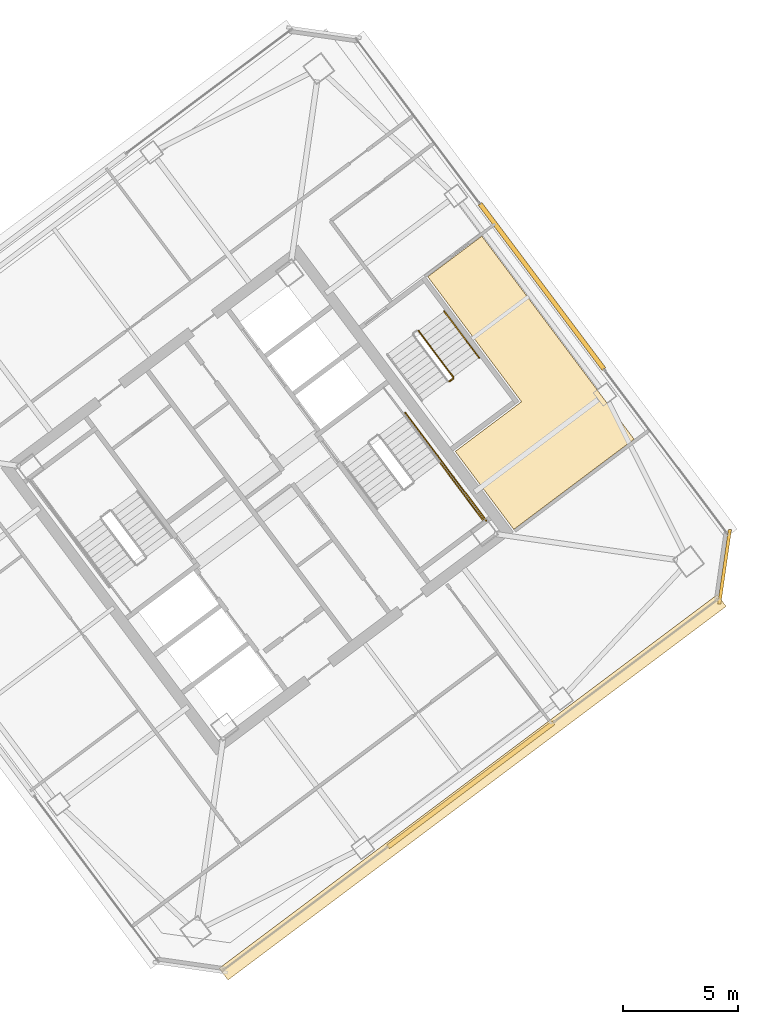
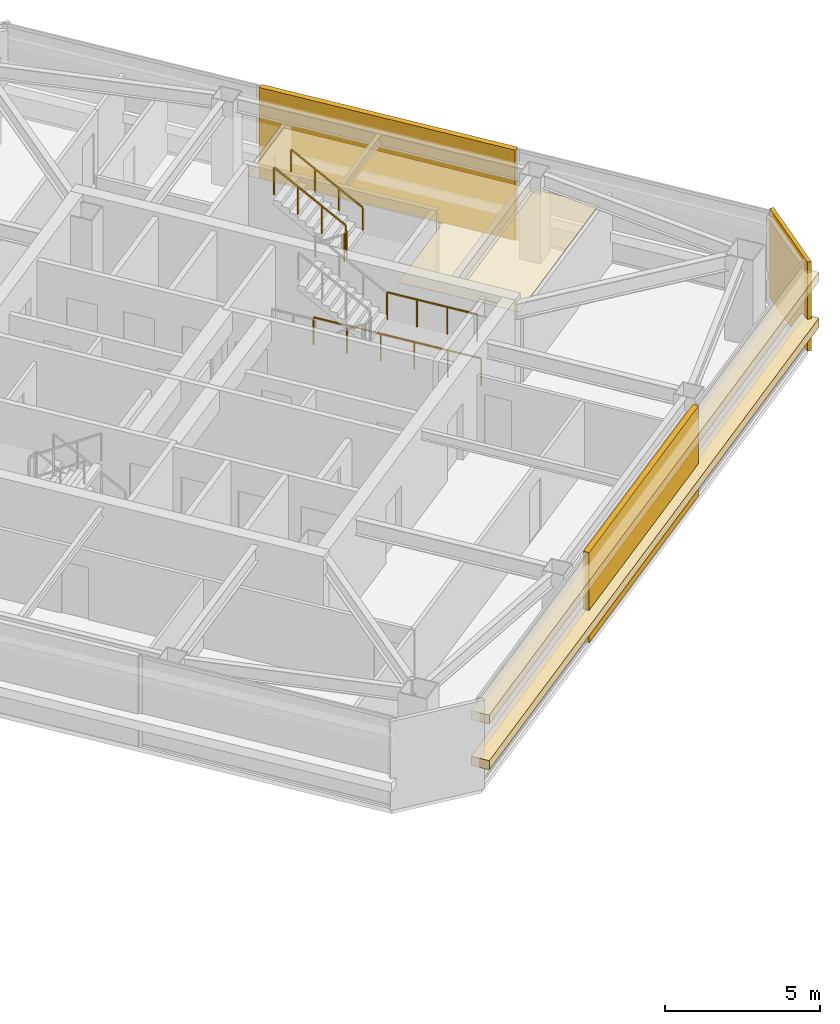
# One storey, part 38 of 39: 6 coverings, 5 railings.
"""IFC4 building model written with IfcOpenShell, lengths in metres."""

from ifc_helpers import new_model, si_unit, direction, frame, origin, origin_2d, place, context, subcontext, project, spatial, polyline, rectangle, outline, extrude, material, layer, layer_set, type_object, element, save


model = new_model("IFC4")

# Units and contexts
model_context = context("Model", 3, precision=1e-05, world=origin(), true_north=direction((0.0, 1.0)))
body_context = subcontext(model_context, "Body", "Model", "MODEL_VIEW")
ifc_project = project(units=[si_unit("LENGTHUNIT", "METRE"), si_unit("AREAUNIT", "SQUARE_METRE"), si_unit("VOLUMEUNIT", "CUBIC_METRE"), si_unit("PLANEANGLEUNIT", "RADIAN"), si_unit("MASSUNIT", "GRAM", prefix="KILO")], contexts=[model_context])

# Site, building, storey
site_placement = place(None, origin())
site = spatial("IfcSite", under=ifc_project, at=site_placement, CompositionType="ELEMENT")
building_placement = place(site_placement, origin())
building = spatial("IfcBuilding", under=site, at=building_placement, Name="Tashvorn Skyway Center", CompositionType="ELEMENT")
storey_placement = place(building_placement, frame((0.0, 0.0, 207.75)))
storey = spatial("IfcBuildingStorey", under=building, at=storey_placement, Name="L56", CompositionType="ELEMENT", Elevation=207.75)

# Coverings
ifc_material_1 = material(Name="Precast concrete C40/50", Category="concrete")
ifc_layer_1 = layer(ifc_material_1, 0.199951171875)
ifc_layer_set_1 = layer_set([ifc_layer_1], Name="Precast concrete C40/50")
covering_type_1 = type_object("IfcCoveringType", Name="COV-BRACE-CLAD", PredefinedType="CLADDING", material=ifc_layer_set_1)
for number, where, z_axis, x_axis, name in (
    (1, (123.2880859375, 19.615966796875, 0.0), (0.0, 0.0, 1.0), (-0.799999996291, -0.600000004945, 0.0), "Tower 2 L56 South Unitised Curtain Wall Mega-Brace Cladding Band 1"),
    (2, (126.384033203125, 41.2880859375, 0.0), (0.0, 0.0, 1.0), (0.600000004945, -0.799999996291, 0.0), "Tower 2 L56 East Unitised Curtain Wall Mega-Brace Cladding Band 1"),
):
    element("IfcCovering", number, at=place(storey_placement, frame(where, z_axis=z_axis, x_axis=x_axis)), inside=storey, type_object=covering_type_1, Name=name, PredefinedType="CLADDING", context=body_context, shape_type="SweptSolid", body=[
        extrude(rectangle(XDim=8.98681640625, YDim=0.199951171875, at=origin_2d()), origin(), (0.0, 0.0, 1.0), 3.550048828125),
    ])
ifc_material_2 = material(Name="Mineral-fibre acoustic ceiling tile on suspended grid")
ifc_layer_2 = layer(ifc_material_2, 0.02001953125)
ifc_layer_set_2 = layer_set([ifc_layer_2], Name="Mineral-fibre acoustic ceiling tile on suspended grid")
covering_type_2 = type_object("IfcCoveringType", Name="COV-CEIL-20", PredefinedType="CEILING", material=ifc_layer_set_2)
covering_1_placement = place(storey_placement, frame((0.0, 0.0, 2.702880859375)))
element("IfcCovering", 3, at=covering_1_placement, inside=storey, type_object=covering_type_2, Name="Tower 2 L56 Corporate Office Acoustic Ceiling", PredefinedType="CEILING", context=body_context, shape_type="SweptSolid", body=[
    extrude(outline(polyline([(125.159912109375, 30.719970703125), (122.615966796875, 34.112060546875), (125.49609375, 36.27197265625), (121.416015625, 41.7119140625), (123.76806640625, 43.47607421875), (127.847900390625, 38.035888671875), (130.39208984375, 34.64404296875), (125.159912109375, 30.719970703125)])), origin(), (0.0, 0.0, 1.0), 0.02001953125),
])
ifc_material_3 = material(Name="Perforated ceramic-coated bronze aluminium solar screen", Category="aluminium")
ifc_layer_3 = layer(ifc_material_3, 0.85009765625)
ifc_layer_set_3 = layer_set([ifc_layer_3], Name="Perforated ceramic-coated bronze aluminium solar screen")
covering_type_3 = type_object("IfcCoveringType", Name="COV-SOLAR-BAND", PredefinedType="CLADDING", material=ifc_layer_set_3)
for number, where, z_axis, x_axis, name in (
    (4, (123.3720703125, 19.50390625, 0.919921875), (0.0, 0.0, 1.0), (-0.799999996291, -0.600000004945, 0.0), "L56 Perforated Ceramic-Metal Solar Screen Louvre Band South 1"),
    (5, (123.3720703125, 19.50390625, 2.7197265625), (0.0, 0.0, 1.0), (-0.799999996291, -0.600000004945, 0.0), "L56 Perforated Ceramic-Metal Solar Screen Louvre Band South 2"),
):
    element("IfcCovering", number, at=place(storey_placement, frame(where, z_axis=z_axis, x_axis=x_axis)), inside=storey, type_object=covering_type_3, Name=name, PredefinedType="CLADDING", context=body_context, shape_type="SweptSolid", body=[
        extrude(rectangle(XDim=27.080078125, YDim=0.639892578125, at=origin_2d()), origin(), (0.0, 0.0, 1.0), 0.360107421875),
    ])
ifc_layer_4 = layer(ifc_material_1, 0.35009765625)
ifc_layer_set_4 = layer_set([ifc_layer_4], Name="Precast concrete C40/50")
covering_type_4 = type_object("IfcCoveringType", Name="COV-STONE-TRIM", PredefinedType="CLADDING", material=ifc_layer_set_4)
covering_2_placement = place(storey_placement, frame((134.327880859375, 29.095947265625, 0.02001953125), z_axis=(0.0, 0.0, 1.0), x_axis=(0.141421350118, 0.989949494535, 0.0)))
element("IfcCovering", 6, at=covering_2_placement, inside=storey, type_object=covering_type_4, Name="Tower 2 L56 SE Mojave Limestone Corner Quoin", PredefinedType="CLADDING", context=body_context, shape_type="SweptSolid", body=[
    extrude(rectangle(XDim=3.271240234375, YDim=0.139892578125, at=origin_2d()), origin(), (0.0, 0.0, 1.0), 3.510009765625),
])

# Railings
ifc_material_4 = material(Name="Brushed stainless steel 316", Category="steel")
railing_type_1 = type_object("IfcRailingType", Name="RAIL-HAND-920", PredefinedType="HANDRAIL", material=ifc_material_4)
railing_1_placement = place(storey_placement, frame((123.64794921875, 38.18603515625, 1.952392578125)))
element("IfcRailing", 7, at=railing_1_placement, inside=storey, type_object=railing_type_1, Name="L56 ST-T2-3 stair handrail 2", PredefinedType="HANDRAIL", context=body_context, shape_type="SweptSolid", body=[
    extrude(rectangle(XDim=0.048095703125, YDim=0.048095703125, at=origin_2d()), frame((0.0, 0.0, 0.8759765625), z_axis=(-0.50674661542, 0.675634878657, 0.535467439255), x_axis=(-0.79998837352, -0.60001550166, 0.0)), (0.0, 0.0, 1.0), 2.983642578125),
    extrude(rectangle(XDim=0.0419921875, YDim=0.0419921875, at=origin_2d()), origin(), (0.0, 0.0, 1.0), 0.851806640625),
    extrude(rectangle(XDim=0.0419921875, YDim=0.0419921875, at=origin_2d()), frame((-0.50390625, 0.671875, 0.532470703125)), (0.0, 0.0, 1.0), 0.851806640625),
    extrude(rectangle(XDim=0.0419921875, YDim=0.0419921875, at=origin_2d()), frame((-1.008056640625, 1.343994140625, 1.065185546875)), (0.0, 0.0, 1.0), 0.851806640625),
    extrude(rectangle(XDim=0.0419921875, YDim=0.0419921875, at=origin_2d()), frame((-1.511962890625, 2.015869140625, 1.59765625)), (0.0, 0.0, 1.0), 0.851806640625),
])
ifc_material_5 = material(Name="Painted galvanized steel S355", Category="steel")
railing_type_2 = type_object("IfcRailingType", Name="RAIL-STGUARD-1100", PredefinedType="GUARDRAIL", material=ifc_material_5)
railing_2_placement = place(storey_placement, frame((121.927978515625, 33.64599609375, 1.77490234375)))
element("IfcRailing", 8, at=railing_2_placement, inside=storey, type_object=railing_type_2, Name="L56 ST-T2-2 stair guard 3", PredefinedType="GUARDRAIL", context=body_context, shape_type="SweptSolid", body=[
    extrude(rectangle(XDim=0.048095703125, YDim=0.048095703125, at=origin_2d()), frame((0.0, 0.0, 1.076171875), z_axis=(0.599987638607, -0.800009270896, 0.0), x_axis=(0.800009270896, 0.599987638607, 0.0)), (0.0, 0.0, 1.0), 3.16015625),
    extrude(rectangle(XDim=0.0419921875, YDim=0.0419921875, at=origin_2d()), origin(), (0.0, 0.0, 1.0), 1.052001953125),
    extrude(rectangle(XDim=0.0419921875, YDim=0.0419921875, at=origin_2d()), frame((0.632080078125, -0.8427734375, 0.0)), (0.0, 0.0, 1.0), 1.052001953125),
    extrude(rectangle(XDim=0.0419921875, YDim=0.0419921875, at=origin_2d()), frame((1.263916015625, -1.685302734375, 0.0)), (0.0, 0.0, 1.0), 1.052001953125),
    extrude(rectangle(XDim=0.0419921875, YDim=0.0419921875, at=origin_2d()), frame((1.89599609375, -2.528076171875, 0.0)), (0.0, 0.0, 1.0), 1.052001953125),
])
railing_3_placement = place(storey_placement, frame((120.43603515625, 35.802001953125, 0.0)))
element("IfcRailing", 9, at=railing_3_placement, inside=storey, type_object=railing_type_2, Name="L56 ST-T2-2 stair guard 7", PredefinedType="GUARDRAIL", context=body_context, shape_type="SweptSolid", body=[
    extrude(rectangle(XDim=0.048095703125, YDim=0.048095703125, at=origin_2d()), frame((0.0, 0.0, 1.076171875), z_axis=(0.6, -0.8, 0.0), x_axis=(0.8, 0.6, 0.0)), (0.0, 0.0, 1.0), 5.880126953125),
    extrude(rectangle(XDim=0.0419921875, YDim=0.0419921875, at=origin_2d()), origin(), (0.0, 0.0, 1.0), 1.052001953125),
    extrude(rectangle(XDim=0.0419921875, YDim=0.0419921875, at=origin_2d()), frame((0.70556640625, -0.94091796875, 0.0)), (0.0, 0.0, 1.0), 1.052001953125),
    extrude(rectangle(XDim=0.0419921875, YDim=0.0419921875, at=origin_2d()), frame((1.4111328125, -1.881591796875, 0.0)), (0.0, 0.0, 1.0), 1.052001953125),
    extrude(rectangle(XDim=0.0419921875, YDim=0.0419921875, at=origin_2d()), frame((2.116943359375, -2.822509765625, 0.0)), (0.0, 0.0, 1.0), 1.052001953125),
    extrude(rectangle(XDim=0.0419921875, YDim=0.0419921875, at=origin_2d()), frame((2.822509765625, -3.76318359375, 0.0)), (0.0, 0.0, 1.0), 1.052001953125),
    extrude(rectangle(XDim=0.0419921875, YDim=0.0419921875, at=origin_2d()), frame((3.528076171875, -4.7041015625, 0.0)), (0.0, 0.0, 1.0), 1.052001953125),
])
railing_4_placement = place(storey_placement, frame((122.35791015625, 37.156005859375, 1.77490234375)))
element("IfcRailing", 10, at=railing_4_placement, inside=storey, type_object=railing_type_2, Name="L56 ST-T2-3 stair guard 2", PredefinedType="GUARDRAIL", context=body_context, shape_type="SweptSolid", body=[
    extrude(rectangle(XDim=0.048095703125, YDim=0.048095703125, at=origin_2d()), frame((0.0, 0.0, 1.076171875), z_axis=(0.800585412921, 0.599218655098, 0.0), x_axis=(-0.599218655098, 0.800585412921, 0.0)), (0.0, 0.0, 1.0), 0.199951171875),
    extrude(rectangle(XDim=0.0419921875, YDim=0.0419921875, at=origin_2d()), origin(), (0.0, 0.0, 1.0), 1.052001953125),
    extrude(rectangle(XDim=0.0419921875, YDim=0.0419921875, at=origin_2d()), frame((0.16015625, 0.119873046875, 0.0)), (0.0, 0.0, 1.0), 1.052001953125),
])
railing_5_placement = place(storey_placement, frame((122.528076171875, 37.345947265625, 1.952392578125)))
element("IfcRailing", 11, at=railing_5_placement, inside=storey, type_object=railing_type_2, Name="L56 ST-T2-3 stair guard 3", PredefinedType="GUARDRAIL", context=body_context, shape_type="SweptSolid", body=[
    extrude(rectangle(XDim=0.048095703125, YDim=0.048095703125, at=origin_2d()), frame((0.0, 0.0, 1.076171875), z_axis=(-0.506718600913, 0.675679348675, 0.535437836974), x_axis=(-0.800023250257, -0.599968998406, 0.0)), (0.0, 0.0, 1.0), 2.98388671875),
    extrude(rectangle(XDim=0.0419921875, YDim=0.0419921875, at=origin_2d()), origin(), (0.0, 0.0, 1.0), 1.052001953125),
    extrude(rectangle(XDim=0.0419921875, YDim=0.0419921875, at=origin_2d()), frame((-0.50390625, 0.672119140625, 0.532470703125)), (0.0, 0.0, 1.0), 1.052001953125),
    extrude(rectangle(XDim=0.0419921875, YDim=0.0419921875, at=origin_2d()), frame((-1.008056640625, 1.343994140625, 1.065185546875)), (0.0, 0.0, 1.0), 1.052001953125),
    extrude(rectangle(XDim=0.0419921875, YDim=0.0419921875, at=origin_2d()), frame((-1.511962890625, 2.01611328125, 1.59765625)), (0.0, 0.0, 1.0), 1.052001953125),
])

save(model, "model.ifc")
